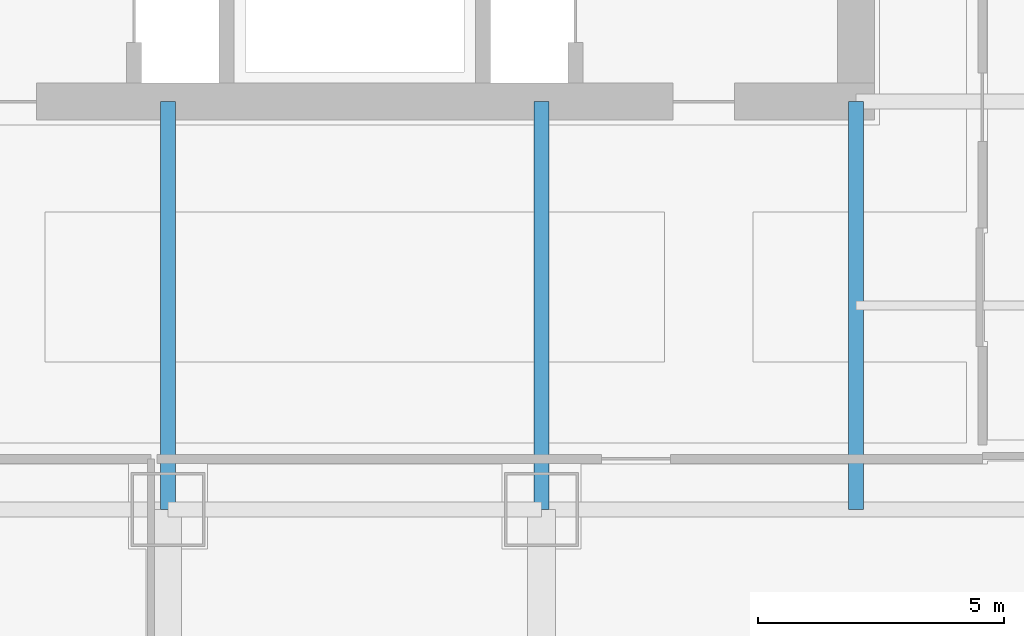
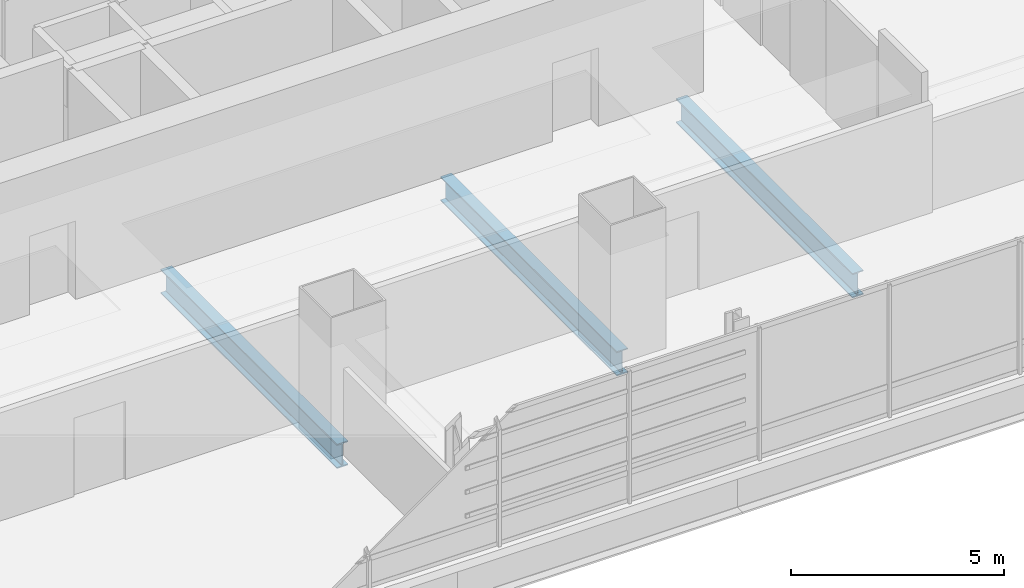
# One storey, part 7 of 35: 3 beams.
"""IFC4 building model written with IfcOpenShell, lengths in metres."""

from ifc_helpers import new_model, si_unit, direction, frame, origin, origin_2d, place, context, subcontext, project, spatial, i_section, extrude, material, material_profile, profile_set, type_object, element, save


model = new_model("IFC4")

# Units and contexts
model_context = context("Model", 3, precision=1e-05, world=origin(), true_north=direction((0.0, 1.0)))
body_context = subcontext(model_context, "Body", "Model", "MODEL_VIEW")
ifc_project = project(units=[si_unit("LENGTHUNIT", "METRE"), si_unit("AREAUNIT", "SQUARE_METRE"), si_unit("VOLUMEUNIT", "CUBIC_METRE"), si_unit("PLANEANGLEUNIT", "RADIAN"), si_unit("MASSUNIT", "GRAM", prefix="KILO")], contexts=[model_context])

# Site, building, storey
site_placement = place(None, origin())
site = spatial("IfcSite", under=ifc_project, at=site_placement, CompositionType="ELEMENT")
building_placement = place(site_placement, origin())
building = spatial("IfcBuilding", under=site, at=building_placement, Name="Punatoya Terracotta Tower", CompositionType="ELEMENT")
storey_placement = place(building_placement, frame((0.0, 0.0, 72.75)))
storey = spatial("IfcBuildingStorey", under=building, at=storey_placement, Name="L16", CompositionType="ELEMENT", Elevation=72.75)

# Beams
ifc_material = material(Name="Steel S355", Category="steel")
ifc_material_profile = material_profile(ifc_material, i_section(OverallWidth=0.300048828125, OverallDepth=0.699951171875, WebThickness=0.01708984375, FlangeThickness=0.031982421875, FilletRadius=0.01806640625, at=origin_2d()))
ifc_profile_set = profile_set([ifc_material_profile], Name="Steel S355")
beam_type = type_object("IfcBeamType", Name="BM-PRI-700", PredefinedType="BEAM", material=ifc_profile_set)
for number, where, z_axis, x_axis, name in (
    (1, (-3.800048828125, -17.5, -0.590087890625), (0.0, 1.0, 0.0), (-1.0, 0.0, 0.0), "BM-L16-PR-S2"),
    (2, (3.800048828125, -17.5, -0.590087890625), (0.0, 1.0, 0.0), (-1.0, 0.0, 0.0), "BM-L16-PR-S3"),
    (3, (10.199951171875, -17.5, -0.590087890625), (0.0, 1.0, 0.0), (-1.0, 0.0, 0.0), "BM-L16-PR-S4"),
):
    element("IfcBeam", number, at=place(storey_placement, frame(where, z_axis=z_axis, x_axis=x_axis)), inside=storey, type_object=beam_type, Name=name, PredefinedType="BEAM", context=body_context, shape_type="SweptSolid", body=[
        extrude(i_section(OverallWidth=0.300048828125, OverallDepth=0.699951171875, WebThickness=0.01708984375, FlangeThickness=0.031982421875, FilletRadius=0.01806640625, at=origin_2d()), origin(), (0.0, 0.0, 1.0), 8.300048828125),
    ])

save(model, "model.ifc")
